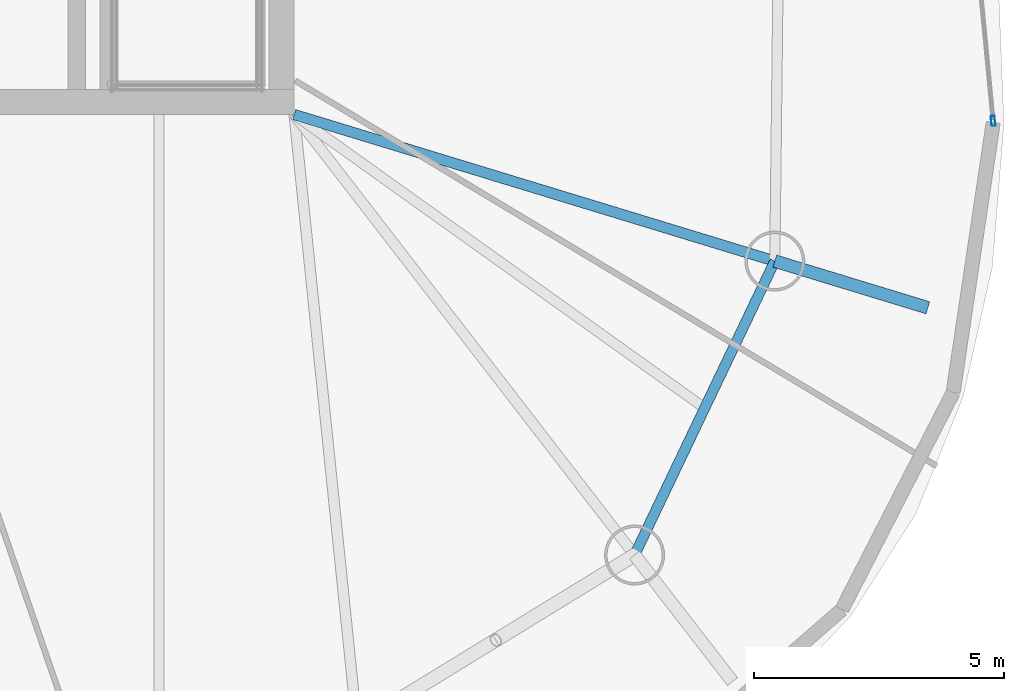
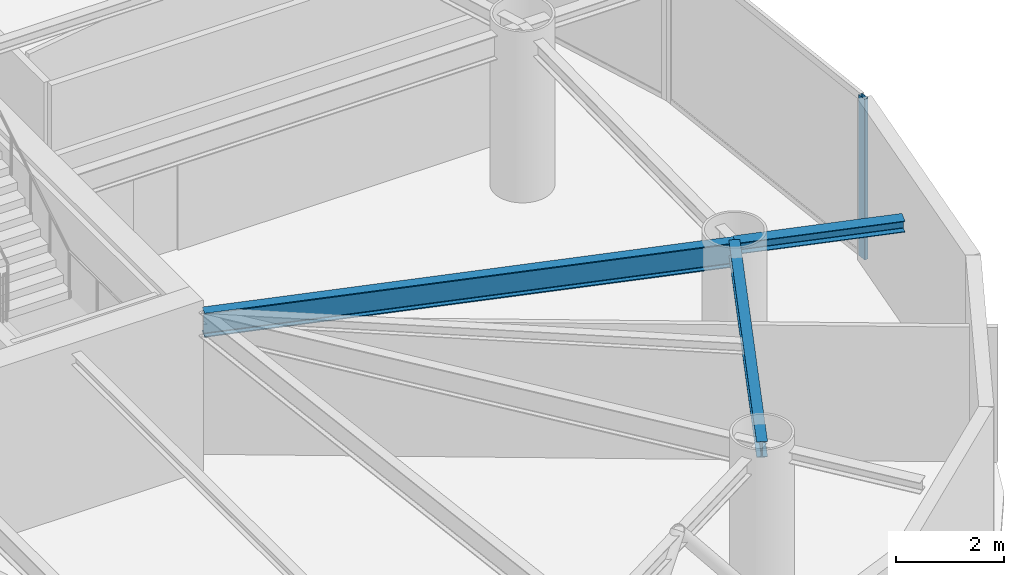
# One storey, part 7 of 18: 3 beams, 1 member, 1 element without a shape of its own.
"""IFC4 building model written with IfcOpenShell, lengths in metres."""

import ifcopenshell
import ifcopenshell.guid

model = None  # the IFC model being written
_history = None  # IfcOwnerHistory: only IFC2X3 demands one
_inside = {}  # id of a spatial element -> (the spatial element, [elements in it])
_under = {}  # id of a project, library or spatial element -> (it, [spatial elements below it])
_declared = {}  # id of a project -> (the project, [libraries it declares])
_typed = {}  # id of a type object -> (the type object, [elements of that type])
_made_of = {}  # id of a material, layer set ... -> (it, [elements and type objects made of it])


def new_model(schema):
    """Start an empty IFC model of exactly this schema.

    Asked for "IFC4X3", IfcOpenShell would pick the latest addendum, in which some entities
    have other attributes; the version numbers below select the first issue.
    IFC2X3 requires an IfcOwnerHistory on every rooted entity: one is made here for all.
    """
    global model, _history
    if schema == "IFC4X3":
        model = ifcopenshell.file(schema_version=(4, 3, 0, 0))
    else:
        model = ifcopenshell.file(schema=schema)
    _inside.clear()
    _under.clear()
    _declared.clear()
    _typed.clear()
    _made_of.clear()
    _history = None
    if model.schema == "IFC2X3":
        org = make("IfcOrganization", Name="unknown")
        user = make(
            "IfcPersonAndOrganization",
            ThePerson=make("IfcPerson", FamilyName="unknown"),
            TheOrganization=org,
        )
        app = make(
            "IfcApplication",
            ApplicationDeveloper=org,
            Version="unknown",
            ApplicationFullName="unknown",
            ApplicationIdentifier="unknown",
        )
        _history = make(
            "IfcOwnerHistory",
            OwningUser=user,
            OwningApplication=app,
            ChangeAction="ADDED",
            CreationDate=0,
        )
    return model


def make(cls, **values):
    """One entity of the class cls with the attributes given. An attribute that is None is left unset."""
    return model.create_entity(
        cls, **{name: value for name, value in values.items() if value is not None}
    )


def rooted(cls, **values):
    """An entity with a GlobalId (a new one), such as an element, a storey or a relation."""
    return make(cls, GlobalId=ifcopenshell.guid.new(), OwnerHistory=_history, **values)


def si_unit(unit_type, name, prefix=None):
    """IfcSIUnit, for example si_unit("LENGTHUNIT", "METRE", prefix="MILLI")."""
    return make("IfcSIUnit", UnitType=unit_type, Prefix=prefix, Name=name)


def assignment(units):
    """IfcUnitAssignment: the units of a project."""
    return None if units is None else make("IfcUnitAssignment", Units=units)


def point(xyz):
    """IfcCartesianPoint."""
    return None if xyz is None else make("IfcCartesianPoint", Coordinates=xyz)


def direction(xyz):
    """IfcDirection."""
    return None if xyz is None else make("IfcDirection", DirectionRatios=xyz)


def frame(location, z_axis=None, x_axis=None):
    """IfcAxis2Placement3D, a coordinate frame: its origin and axes. An axis left out is left unset."""
    return make(
        "IfcAxis2Placement3D",
        Location=point(location),
        Axis=direction(z_axis),
        RefDirection=direction(x_axis),
    )


def frame_2d(location, x_axis=None):
    """IfcAxis2Placement2D, a coordinate frame in the plane: its origin and x axis."""
    return make(
        "IfcAxis2Placement2D", Location=point(location), RefDirection=direction(x_axis)
    )


def origin():
    """The frame at (0, 0, 0) with its axes left unset."""
    return frame((0.0, 0.0, 0.0))


def origin_2d():
    """The frame at (0, 0) in the plane with its x axis left unset."""
    return frame_2d((0.0, 0.0))


def place(relative_to, where):
    """IfcLocalPlacement: puts the frame where relative to a parent placement (None: the world)."""
    return make(
        "IfcLocalPlacement", PlacementRelTo=relative_to, RelativePlacement=where
    )


def context(
    kind, dimensions, precision=None, world=None, true_north=None, identifier=None
):
    """IfcGeometricRepresentationContext, for example the 3D "Model" context."""
    return make(
        "IfcGeometricRepresentationContext",
        ContextIdentifier=identifier,
        ContextType=kind,
        CoordinateSpaceDimension=dimensions,
        Precision=precision,
        WorldCoordinateSystem=world,
        TrueNorth=true_north,
    )


def subcontext(parent, identifier, kind, view, scale=None):
    """IfcGeometricRepresentationSubContext, for example "Body" below "Model"."""
    return make(
        "IfcGeometricRepresentationSubContext",
        ContextIdentifier=identifier,
        ContextType=kind,
        ParentContext=parent,
        TargetScale=scale,
        TargetView=view,
    )


def project(units=None, contexts=None):
    """IfcProject with its units and contexts."""
    return rooted(
        "IfcProject",
        Name="project",
        RepresentationContexts=contexts,
        UnitsInContext=assignment(units),
    )


def spatial(cls, under=None, at=None, **own):
    """A site, building, storey or space (cls), placed at a placement, below another one or the project."""
    s = rooted(cls, ObjectPlacement=at, **own)
    if under is not None:
        _under.setdefault(under.id(), (under, []))[1].append(s)
    return s


def profile(cls, at=None, kind="AREA", **sizes):
    """A parametric profile (cls). Its sizes go by their IFC names, for example OverallWidth=200.0."""
    return make(cls, ProfileType=kind, Position=at, **sizes)


def hollow_rectangle(**sizes):
    """IfcRectangleHollowProfileDef."""
    return profile("IfcRectangleHollowProfileDef", **sizes)


def i_section(**sizes):
    """IfcIShapeProfileDef."""
    return profile("IfcIShapeProfileDef", **sizes)


def extrude(swept, where, along, depth):
    """IfcExtrudedAreaSolid: the profile swept, set in the frame where, extruded along a direction by depth."""
    return make(
        "IfcExtrudedAreaSolid",
        SweptArea=swept,
        Position=where,
        ExtrudedDirection=direction(along),
        Depth=depth,
    )


def shape(context_of_items, identifier, shape_type, items):
    """IfcShapeRepresentation: the items that make up one representation, for example the "Body"."""
    return make(
        "IfcShapeRepresentation",
        ContextOfItems=context_of_items,
        RepresentationIdentifier=identifier,
        RepresentationType=shape_type,
        Items=items,
    )


def material(Name=None, Category=None):
    """IfcMaterial."""
    return make("IfcMaterial", Name=Name, Category=Category)


def layer(
    of_material, thickness, ventilated=None, Name=None, Category=None, Priority=None
):
    """IfcMaterialLayer: one layer of a wall or slab, of a material (None: an air gap)."""
    return make(
        "IfcMaterialLayer",
        Material=of_material,
        LayerThickness=thickness,
        IsVentilated=ventilated,
        Name=Name,
        Category=Category,
        Priority=Priority,
    )


def layer_set(layers, Name=None):
    """IfcMaterialLayerSet."""
    return make("IfcMaterialLayerSet", MaterialLayers=layers, LayerSetName=Name)


def material_profile(
    of_material, cross_section, Name=None, Category=None, Priority=None
):
    """IfcMaterialProfile: a cross section and its material."""
    return make(
        "IfcMaterialProfile",
        Name=Name,
        Material=of_material,
        Profile=cross_section,
        Priority=Priority,
        Category=Category,
    )


def profile_set(profiles, Name=None, composite=None):
    """IfcMaterialProfileSet."""
    return make(
        "IfcMaterialProfileSet",
        Name=Name,
        MaterialProfiles=profiles,
        CompositeProfile=composite,
    )


def made_of(thing, what):
    """Note that an element or type object is made of a material, layer set ...; save() writes the relation."""
    if what is not None:
        _made_of.setdefault(what.id(), (what, []))[1].append(thing)
    return thing


def type_object(cls, material=None, **own):
    """A type object (cls), such as IfcWallType, which elements share."""
    return made_of(rooted(cls, **own), material)


def element(
    cls,
    number,
    at=None,
    inside=None,
    cuts=None,
    type_object=None,
    material=None,
    context=None,
    identifier="Body",
    shape_type=None,
    held_by="IfcProductDefinitionShape",
    body=None,
    shapes=None,
    **own,
):
    """One element of the class cls, such as IfcWall. Its Tag is "e" and its number.

    at: its placement. inside: the storey or other place that contains it. cuts: it is an
    opening in that element (IfcRelVoidsElement). A single representation is given by context,
    identifier, shape_type and body (its items); several are given by shapes. held_by: the class
    of the entity that holds the representations. save() writes the other relations.
    """
    e = rooted(cls, Tag="e%d" % number, ObjectPlacement=at, **own)
    if body is not None:
        shapes = [shape(context, identifier, shape_type, body)]
    if shapes is not None:
        e.Representation = make(held_by, Representations=shapes)
    if inside is not None:
        _inside.setdefault(inside.id(), (inside, []))[1].append(e)
    if cuts is not None:
        rooted(
            "IfcRelVoidsElement", RelatingBuildingElement=cuts, RelatedOpeningElement=e
        )
    if type_object is not None:
        _typed.setdefault(type_object.id(), (type_object, []))[1].append(e)
    return made_of(e, material)


def aggregate(whole, parts):
    """IfcRelAggregates: a whole, such as a stair, and the parts it consists of."""
    return rooted("IfcRelAggregates", RelatingObject=whole, RelatedObjects=parts)


def save(model, path):
    """Write the relations noted so far, then the file.

    IfcRelAggregates (storeys below a building ...), IfcRelContainedInSpatialStructure (elements
    in a storey), IfcRelDefinesByType, IfcRelAssociatesMaterial and IfcRelDeclares: one each for
    every whole, place, type object, material and project.
    """
    for whole, parts in _under.values():
        aggregate(whole, parts)
    for where, things in _inside.values():
        rooted(
            "IfcRelContainedInSpatialStructure",
            RelatedElements=things,
            RelatingStructure=where,
        )
    for kind, things in _typed.values():
        rooted("IfcRelDefinesByType", RelatedObjects=things, RelatingType=kind)
    for what, things in _made_of.values():
        rooted("IfcRelAssociatesMaterial", RelatedObjects=things, RelatingMaterial=what)
    for by, libraries in _declared.values():
        rooted("IfcRelDeclares", RelatingContext=by, RelatedDefinitions=libraries)
    model.write(path)


model = new_model("IFC4")

# Units and contexts
model_context = context("Model", 3, precision=1e-05, world=origin(), true_north=direction((0.0, 1.0)))
body_context = subcontext(model_context, "Body", "Model", "MODEL_VIEW")
ifc_project = project(units=[si_unit("LENGTHUNIT", "METRE"), si_unit("AREAUNIT", "SQUARE_METRE"), si_unit("VOLUMEUNIT", "CUBIC_METRE"), si_unit("PLANEANGLEUNIT", "RADIAN"), si_unit("MASSUNIT", "GRAM", prefix="KILO")], contexts=[model_context])

# Site, building, storey
site_placement = place(None, origin())
site = spatial("IfcSite", under=ifc_project, at=site_placement, CompositionType="ELEMENT")
building_placement = place(site_placement, origin())
building = spatial("IfcBuilding", under=site, at=building_placement, Name="Bramvorn Convention Spire", CompositionType="ELEMENT")
storey_placement = place(building_placement, frame((0.0, 0.0, 182.75)))
storey = spatial("IfcBuildingStorey", under=building, at=storey_placement, Name="L46", CompositionType="ELEMENT", Elevation=182.75)

# Beams
ifc_material_1 = material(Name="Steel CSA G40.21 Grade 350 (350W)", Category="steel")
ifc_material_profile_1 = material_profile(ifc_material_1, i_section(OverallWidth=0.25390625, OverallDepth=0.2529296875, WebThickness=0.008544921875, FlangeThickness=0.01416015625, FilletRadius=0.011962890625, at=origin_2d()))
ifc_profile_set_1 = profile_set([ifc_material_profile_1], Name="Steel CSA G40.21 Grade 350 (350W) - W250X73")
beam_type_1 = type_object("IfcBeamType", Name="BM-W250X73", PredefinedType="BEAM", material=ifc_profile_set_1)
beam_1_placement = place(storey_placement, frame((58.863037109375, 15.619384765625, 3.493408203125), z_axis=(0.956544433432, -0.291586602694, 0.0), x_axis=(0.291586602694, 0.956544433432, 0.0)))
element("IfcBeam", 1, at=beam_1_placement, inside=storey, type_object=beam_type_1, Name="L46 slab-edge cantilever tip beam MC02", PredefinedType="BEAM", context=body_context, shape_type="SweptSolid", body=[
    extrude(i_section(OverallWidth=0.25390625, OverallDepth=0.2529296875, WebThickness=0.008544921875, FlangeThickness=0.01416015625, FilletRadius=0.011962890625, at=origin_2d()), origin(), (0.0, 0.0, 1.0), 3.2001953125),
])
ifc_material_profile_2 = material_profile(ifc_material_1, i_section(OverallWidth=0.205078125, OverallDepth=0.35400390625, WebThickness=0.009521484375, FlangeThickness=0.016845703125, FilletRadius=0.014892578125, at=origin_2d()))
ifc_profile_set_2 = profile_set([ifc_material_profile_2], Name="Steel CSA G40.21 Grade 350 (350W) - W360X79")
beam_type_2 = type_object("IfcBeamType", Name="BM-W360X79", PredefinedType="JOIST", material=ifc_profile_set_2)
beam_2_placement = place(storey_placement, frame((56.058349609375, 9.739990234375, 3.443115234375), z_axis=(0.430556138422, 0.902563799223, 0.0), x_axis=(-0.902563799223, 0.430556138422, 0.0)))
element("IfcBeam", 2, at=beam_2_placement, inside=storey, type_object=beam_type_2, Name="L46 mega-column ring beam 01", PredefinedType="JOIST", context=body_context, shape_type="SweptSolid", body=[
    extrude(i_section(OverallWidth=0.205078125, OverallDepth=0.35400390625, WebThickness=0.009521484375, FlangeThickness=0.016845703125, FilletRadius=0.014892578125, at=origin_2d()), origin(), (0.0, 0.0, 1.0), 6.51416015625),
])
ifc_material_profile_3 = material_profile(ifc_material_1, i_section(OverallWidth=0.2119140625, OverallDepth=0.5439453125, WebThickness=0.01318359375, FlangeThickness=0.021240234375, FilletRadius=0.01904296875, at=origin_2d()))
ifc_profile_set_3 = profile_set([ifc_material_profile_3], Name="Steel CSA G40.21 Grade 350 (350W) - W530X123")
beam_type_3 = type_object("IfcBeamType", Name="BM-W530X123", PredefinedType="BEAM", material=ifc_profile_set_3)
beam_3_placement = place(storey_placement, frame((49.25, 18.550048828125, 3.347900390625), z_axis=(0.95653637984, -0.291613021044, 0.0), x_axis=(0.291613021044, 0.95653637984, 0.0)))
element("IfcBeam", 3, at=beam_3_placement, inside=storey, type_object=beam_type_3, Name="L46 radial floor girder MC02", PredefinedType="BEAM", context=body_context, shape_type="SweptSolid", body=[
    extrude(i_section(OverallWidth=0.2119140625, OverallDepth=0.5439453125, WebThickness=0.01318359375, FlangeThickness=0.021240234375, FilletRadius=0.01904296875, at=origin_2d()), origin(), (0.0, 0.0, 1.0), 10.0498046875),
])

# Curtain wall, member
ifc_material_2 = material(Name="Anodised Bronze Unitised Curtain Wall", Category="aluminium")
ifc_layer = layer(ifc_material_2, 0.179931640625)
ifc_layer_set = layer_set([ifc_layer], Name="Anodised Bronze Unitised Curtain Wall - CW-OFF-FRIT")
curtain_wall_type = type_object("IfcCurtainWallType", Name="CW-OFF-FRIT", PredefinedType="USERDEFINED", material=ifc_layer_set)
curtain_wall_placement = place(storey_placement, origin())
curtain_wall = element("IfcCurtainWall", 4, at=curtain_wall_placement, inside=storey, type_object=curtain_wall_type, Name="L46 fritted glass curtain wall 03", ObjectType="UNITISED CURTAIN WALL", PredefinedType="USERDEFINED")
ifc_material_3 = material(Name="Anodised Bronze Aluminium 6063-T6", Category="aluminium")
ifc_material_profile_4 = material_profile(ifc_material_3, hollow_rectangle(XDim=0.080078125, YDim=0.199951171875, WallThickness=0.00390625, InnerFilletRadius=0.0009765625, OuterFilletRadius=0.00390625, at=origin_2d()))
ifc_profile_set_4 = profile_set([ifc_material_profile_4], Name="Anodised Bronze Aluminium 6063-T6 - CWM80X200")
member_type = type_object("IfcMemberType", Name="CW-MUL-180", PredefinedType="MULLION", material=ifc_profile_set_4)
member_placement = place(storey_placement, frame((63.229736328125, 18.425537109375, 0.0), z_axis=(0.0, 0.0, 1.0), x_axis=(0.995360141173, 0.096219485371, 0.0)))
member = element("IfcMember", 5, at=member_placement, type_object=member_type, Name="CW3 mullion 2", PredefinedType="MULLION", context=body_context, shape_type="SweptSolid", body=[
    extrude(hollow_rectangle(XDim=0.080078125, YDim=0.199951171875, WallThickness=0.00390625, InnerFilletRadius=0.0009765625, OuterFilletRadius=0.00390625, at=origin_2d()), origin(), (0.0, 0.0, 1.0), 3.6201171875),
])
aggregate(curtain_wall, [member])

save(model, "model.ifc")
